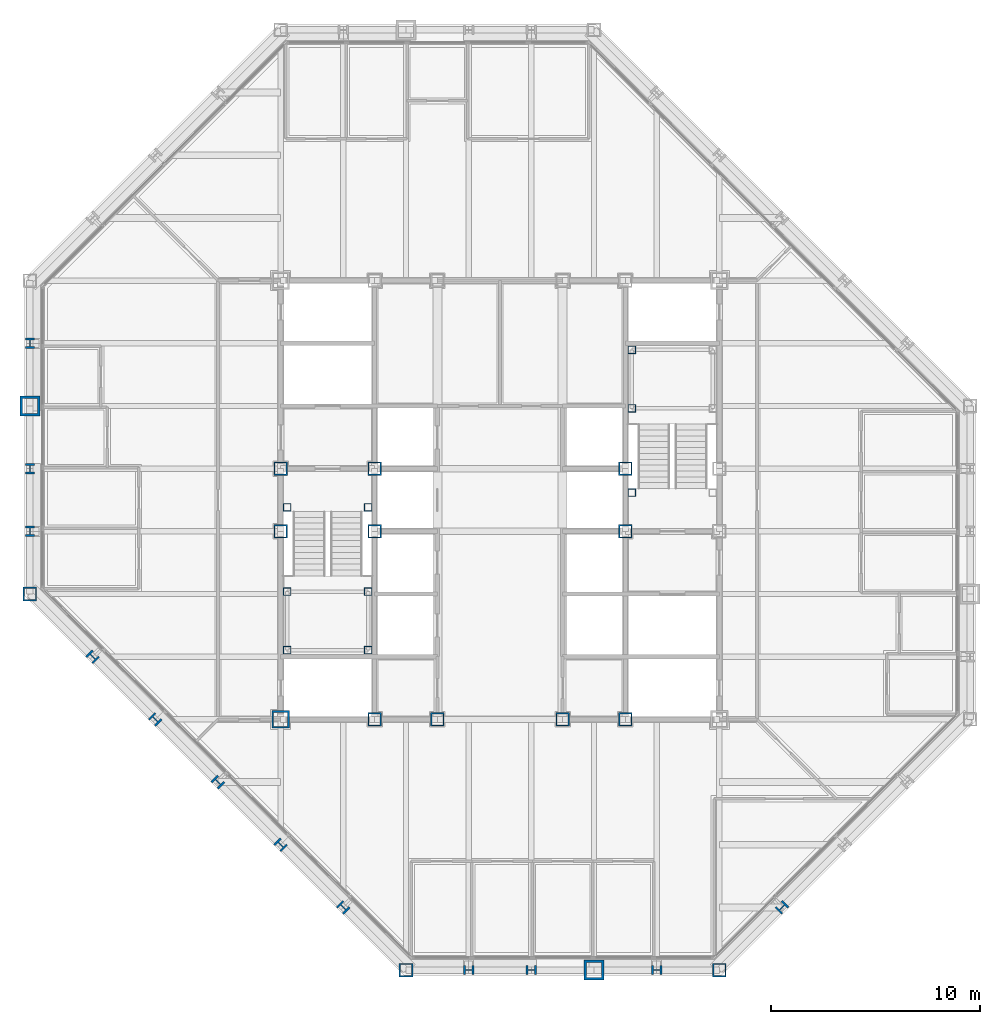
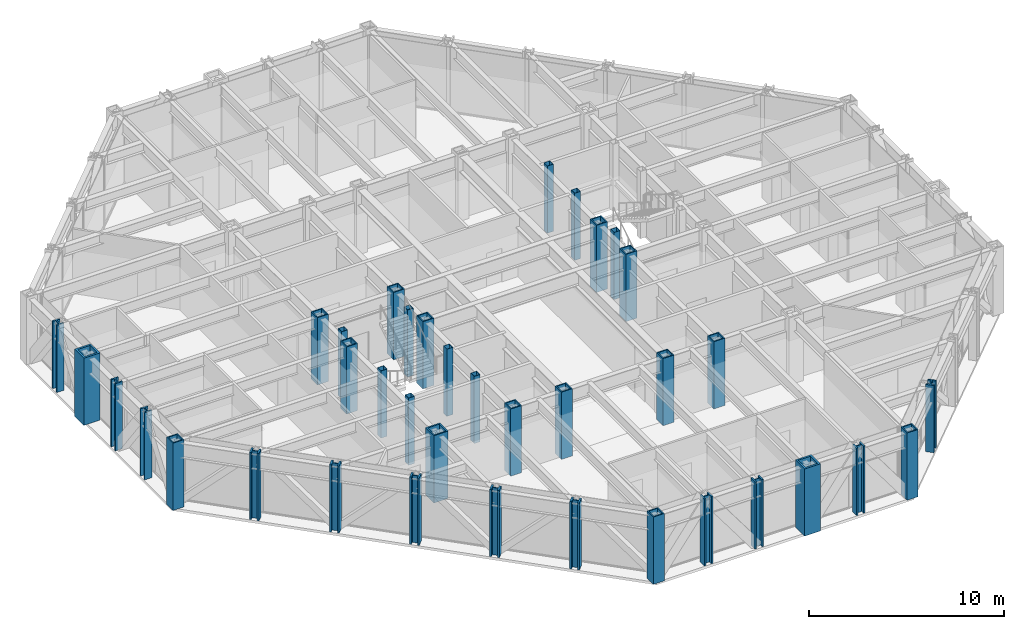
# One storey, part 1 of 15: 37 columns.
"""IFC4 building model written with IfcOpenShell, lengths in metres."""

from ifc_helpers import new_model, si_unit, direction, frame, origin, origin_2d, place, context, subcontext, project, spatial, hollow_rectangle, i_section, extrude, material, material_profile, profile_set, type_object, element, save


model = new_model("IFC4")

# Units and contexts
model_context = context("Model", 3, precision=1e-05, world=origin(), true_north=direction((0.0, 1.0)))
body_context = subcontext(model_context, "Body", "Model", "MODEL_VIEW")
ifc_project = project(units=[si_unit("LENGTHUNIT", "METRE"), si_unit("AREAUNIT", "SQUARE_METRE"), si_unit("VOLUMEUNIT", "CUBIC_METRE"), si_unit("PLANEANGLEUNIT", "RADIAN"), si_unit("MASSUNIT", "GRAM", prefix="KILO")], contexts=[model_context])

# Site, building, storey
site_placement = place(None, origin())
site = spatial("IfcSite", under=ifc_project, at=site_placement, CompositionType="ELEMENT")
building_placement = place(site_placement, origin())
building = spatial("IfcBuilding", under=site, at=building_placement, Name="Chuquiago Exchange Tower", CompositionType="ELEMENT")
storey_placement = place(building_placement, frame((0.0, 0.0, 192.89990234375)))
storey = spatial("IfcBuildingStorey", under=building, at=storey_placement, Name="L42", CompositionType="ELEMENT", Elevation=192.89990234375)

# Columns
ifc_material_1 = material(Name="Steel ASTM A992", Category="steel")
ifc_material_profile_1 = material_profile(ifc_material_1, i_section(OverallWidth=0.431884765625, OverallDepth=0.497802734375, WebThickness=0.0556640625, FlangeThickness=0.0888671875, at=origin_2d()), Name="W14X500")
ifc_profile_set_1 = profile_set([ifc_material_profile_1], Name="Steel ASTM A992")
column_type_1 = type_object("IfcColumnType", Name="C4 W14X500", PredefinedType="COLUMN", material=ifc_profile_set_1)
for number, where, z_axis, x_axis, name in (
    (1, (21.0, 0.0, 0.0), (0.0, 0.0, 1.0), (0.0, -1.0, 0.0), "COL-L42-21_0"),
    (2, (24.0, 0.0, 0.0), (0.0, 0.0, 1.0), (0.0, -1.0, 0.0), "COL-L42-24_0"),
    (3, (30.0, 0.0, 0.0), (0.0, 0.0, 1.0), (0.0, -1.0, 0.0), "COL-L42-30_0"),
    (4, (0.0, 30.0, 0.0), (0.0, 0.0, 1.0), (-1.0, 0.0, 0.0), "COL-L42-0_30"),
    (5, (0.0, 24.0, 0.0), (0.0, 0.0, 1.0), (-1.0, 0.0, 0.0), "COL-L42-0_24"),
    (6, (0.0, 21.0, 0.0), (0.0, 0.0, 1.0), (-1.0, 0.0, 0.0), "COL-L42-0_21"),
):
    element("IfcColumn", number, at=place(storey_placement, frame(where, z_axis=z_axis, x_axis=x_axis)), inside=storey, type_object=column_type_1, Name=name, PredefinedType="COLUMN", context=body_context, shape_type="SweptSolid", body=[
        extrude(i_section(OverallWidth=0.431884765625, OverallDepth=0.497802734375, WebThickness=0.0556640625, FlangeThickness=0.0888671875, at=origin_2d()), origin(), (0.0, 0.0, 1.0), 4.2001953125),
    ])
ifc_material_2 = material(Name="Steel ASTM A572 Grade 50", Category="steel")
ifc_material_profile_2 = material_profile(ifc_material_2, hollow_rectangle(XDim=0.64990234375, YDim=0.64990234375, WallThickness=0.06494140625, at=origin_2d()), Name="BOX650X650X65")
ifc_profile_set_2 = profile_set([ifc_material_profile_2], Name="Steel ASTM A572 Grade 50")
column_type_2 = type_object("IfcColumnType", Name="CC4 BOX650X650X65", PredefinedType="COLUMN", material=ifc_profile_set_2)
for number, where, z_axis, x_axis, name in (
    (7, (16.5, 12.0, 0.0), (0.0, 0.0, 1.0), (1.0, 0.0, 0.0), "CCOL-L42-16.5_12"),
    (8, (19.5, 12.0, 0.0), (0.0, 0.0, 1.0), (1.0, 0.0, 0.0), "CCOL-L42-19.5_12"),
    (9, (25.5, 12.0, 0.0), (0.0, 0.0, 1.0), (1.0, 0.0, 0.0), "CCOL-L42-25.5_12"),
    (10, (28.5, 12.0, 0.0), (0.0, 0.0, 1.0), (1.0, 0.0, 0.0), "CCOL-L42-28.5_12"),
    (11, (12.0, 21.0, 0.0), (0.0, 0.0, 1.0), (1.0, 0.0, 0.0), "CCOL-L42-12_21"),
    (12, (12.0, 24.0, 0.0), (0.0, 0.0, 1.0), (1.0, 0.0, 0.0), "CCOL-L42-12_24"),
    (13, (16.5, 21.0, 0.0), (0.0, 0.0, 1.0), (1.0, 0.0, 0.0), "CCOL-L42-16.5_21"),
    (14, (16.5, 24.0, 0.0), (0.0, 0.0, 1.0), (1.0, 0.0, 0.0), "CCOL-L42-16.5_24"),
    (15, (28.5, 21.0, 0.0), (0.0, 0.0, 1.0), (1.0, 0.0, 0.0), "CCOL-L42-28.5_21"),
    (16, (28.5, 24.0, 0.0), (0.0, 0.0, 1.0), (1.0, 0.0, 0.0), "CCOL-L42-28.5_24"),
):
    element("IfcColumn", number, at=place(storey_placement, frame(where, z_axis=z_axis, x_axis=x_axis)), inside=storey, type_object=column_type_2, Name=name, PredefinedType="COLUMN", context=body_context, shape_type="SweptSolid", body=[
        extrude(hollow_rectangle(XDim=0.64990234375, YDim=0.64990234375, WallThickness=0.06494140625, at=origin_2d()), origin(), (0.0, 0.0, 1.0), 4.2001953125),
    ])
ifc_material_3 = material(Name="Steel ASTM A572 Grade 50", Category="steel")
ifc_material_profile_3 = material_profile(ifc_material_3, hollow_rectangle(XDim=0.85009765625, YDim=0.85009765625, WallThickness=0.0849609375, at=origin_2d()), Name="BOX850X850X85")
ifc_profile_set_3 = profile_set([ifc_material_profile_3], Name="Steel ASTM A572 Grade 50")
column_type_3 = type_object("IfcColumnType", Name="CC6 BOX850X850X85", PredefinedType="COLUMN", material=ifc_profile_set_3)
column_placement = place(storey_placement, frame((12.0, 12.0, 0.0), z_axis=(0.0, 0.0, 1.0), x_axis=(1.0, 0.0, 0.0)))
element("IfcColumn", 17, at=column_placement, inside=storey, type_object=column_type_3, Name="CCOL-L42-12_12", PredefinedType="COLUMN", context=body_context, shape_type="SweptSolid", body=[
    extrude(hollow_rectangle(XDim=0.85009765625, YDim=0.85009765625, WallThickness=0.0849609375, at=origin_2d()), origin(), (0.0, 0.0, 1.0), 4.2001953125),
])
ifc_material_4 = material(Name="Steel ASTM A992", Category="steel")
ifc_material_profile_4 = material_profile(ifc_material_4, i_section(OverallWidth=0.436767578125, OverallDepth=0.51318359375, WebThickness=0.060546875, FlangeThickness=0.096923828125, at=origin_2d()), Name="W14X550")
ifc_profile_set_4 = profile_set([ifc_material_profile_4], Name="Steel ASTM A992")
column_type_4 = type_object("IfcColumnType", Name="CK4 W14X550", PredefinedType="COLUMN", material=ifc_profile_set_4)
for number, where, z_axis, x_axis, name in (
    (18, (36.0, 3.0, 0.0), (0.0, 0.0, 1.0), (0.707106781187, -0.707106781187, 0.0), "COL-L42-36_3"),
    (19, (3.0, 15.0, 0.0), (0.0, 0.0, 1.0), (-0.707106781187, -0.707106781187, 0.0), "COL-L42-3_15"),
    (20, (6.0, 12.0, 0.0), (0.0, 0.0, 1.0), (-0.707106781187, -0.707106781187, 0.0), "COL-L42-6_12"),
    (21, (9.0, 9.0, 0.0), (0.0, 0.0, 1.0), (-0.707106781187, -0.707106781187, 0.0), "COL-L42-9_9"),
    (22, (12.0, 6.0, 0.0), (0.0, 0.0, 1.0), (-0.707106781187, -0.707106781187, 0.0), "COL-L42-12_6"),
    (23, (15.0, 3.0, 0.0), (0.0, 0.0, 1.0), (-0.707106781187, -0.707106781187, 0.0), "COL-L42-15_3"),
):
    element("IfcColumn", number, at=place(storey_placement, frame(where, z_axis=z_axis, x_axis=x_axis)), inside=storey, type_object=column_type_4, Name=name, PredefinedType="COLUMN", context=body_context, shape_type="SweptSolid", body=[
        extrude(i_section(OverallWidth=0.436767578125, OverallDepth=0.51318359375, WebThickness=0.060546875, FlangeThickness=0.096923828125, at=origin_2d()), origin(), (0.0, 0.0, 1.0), 4.2001953125),
    ])
ifc_material_5 = material(Name="Steel ASTM A572 Grade 50", Category="steel")
ifc_material_profile_5 = material_profile(ifc_material_5, hollow_rectangle(XDim=0.64990234375, YDim=0.64990234375, WallThickness=0.06494140625, at=origin_2d()), Name="BOX650X650X65")
ifc_profile_set_5 = profile_set([ifc_material_profile_5], Name="Steel ASTM A572 Grade 50")
column_type_5 = type_object("IfcColumnType", Name="CN2 BOX650X650X65", PredefinedType="COLUMN", material=ifc_profile_set_5)
for number, where, z_axis, x_axis, name in (
    (24, (18.0, 0.0, 0.0), (0.0, 0.0, 1.0), (0.0, -1.0, 0.0), "COL-L42-18_0"),
    (25, (33.0, 0.0, 0.0), (0.0, 0.0, 1.0), (0.0, -1.0, 0.0), "COL-L42-33_0"),
    (26, (0.0, 18.0, 0.0), (0.0, 0.0, 1.0), (-1.0, 0.0, 0.0), "COL-L42-0_18"),
):
    element("IfcColumn", number, at=place(storey_placement, frame(where, z_axis=z_axis, x_axis=x_axis)), inside=storey, type_object=column_type_5, Name=name, PredefinedType="COLUMN", context=body_context, shape_type="SweptSolid", body=[
        extrude(hollow_rectangle(XDim=0.64990234375, YDim=0.64990234375, WallThickness=0.06494140625, at=origin_2d()), origin(), (0.0, 0.0, 1.0), 4.2001953125),
    ])
ifc_material_6 = material(Name="Steel ASTM A572 Grade 42", Category="steel")
ifc_material_profile_6 = material_profile(ifc_material_6, hollow_rectangle(XDim=0.949951171875, YDim=0.949951171875, WallThickness=0.110107421875, at=origin_2d()), Name="BOX950X950X110")
ifc_profile_set_6 = profile_set([ifc_material_profile_6], Name="Steel ASTM A572 Grade 42")
column_type_6 = type_object("IfcColumnType", Name="CT1 BOX950X950X110", PredefinedType="COLUMN", material=ifc_profile_set_6)
for number, where, z_axis, x_axis, name in (
    (27, (27.0, 0.0, 0.0), (0.0, 0.0, 1.0), (0.0, -1.0, 0.0), "COL-L42-27_0"),
    (28, (0.0, 27.0, 0.0), (0.0, 0.0, 1.0), (-1.0, 0.0, 0.0), "COL-L42-0_27"),
):
    element("IfcColumn", number, at=place(storey_placement, frame(where, z_axis=z_axis, x_axis=x_axis)), inside=storey, type_object=column_type_6, Name=name, PredefinedType="COLUMN", context=body_context, shape_type="SweptSolid", body=[
        extrude(hollow_rectangle(XDim=0.949951171875, YDim=0.949951171875, WallThickness=0.110107421875, at=origin_2d()), origin(), (0.0, 0.0, 1.0), 4.2001953125),
    ])
ifc_material_7 = material(Name="Steel ASTM A500 Grade C", Category="steel")
ifc_material_profile_7 = material_profile(ifc_material_7, hollow_rectangle(XDim=0.355712890625, YDim=0.355712890625, WallThickness=0.0146484375, at=origin_2d()), Name="HSS14X14X5/8")
ifc_profile_set_7 = profile_set([ifc_material_profile_7], Name="Steel ASTM A500 Grade C")
column_type_7 = type_object("IfcColumnType", Name="PT2 HSS14X14X5/8", PredefinedType="COLUMN", material=ifc_profile_set_7)
for number, where, z_axis, x_axis, name in (
    (29, (12.31005859375, 15.31005859375, 0.0), (0.0, 0.0, 1.0), (1.0, 0.0, 0.0), "Stair ST1 L42 landing post"),
    (30, (16.18994140625, 15.31005859375, 0.0), (0.0, 0.0, 1.0), (1.0, 0.0, 0.0), "Stair ST1 L42 landing post"),
    (31, (12.31005859375, 18.110107421875, 0.0), (0.0, 0.0, 1.0), (1.0, 0.0, 0.0), "Stair ST1 L42 landing post"),
    (32, (16.18994140625, 18.110107421875, 0.0), (0.0, 0.0, 1.0), (1.0, 0.0, 0.0), "Stair ST1 L42 landing post"),
    (33, (12.31005859375, 22.14990234375, 0.0), (0.0, 0.0, 1.0), (1.0, 0.0, 0.0), "Stair ST1 L42 landing post"),
    (34, (16.18994140625, 22.14990234375, 0.0), (0.0, 0.0, 1.0), (1.0, 0.0, 0.0), "Stair ST1 L42 landing post"),
    (35, (28.81005859375, 29.68994140625, 0.0), (0.0, 0.0, 1.0), (1.0, 0.0, 0.0), "Stair ST2 L42 landing post"),
    (36, (28.81005859375, 26.889892578125, 0.0), (0.0, 0.0, 1.0), (1.0, 0.0, 0.0), "Stair ST2 L42 landing post"),
    (37, (28.81005859375, 22.85009765625, 0.0), (0.0, 0.0, 1.0), (1.0, 0.0, 0.0), "Stair ST2 L42 landing post"),
):
    element("IfcColumn", number, at=place(storey_placement, frame(where, z_axis=z_axis, x_axis=x_axis)), inside=storey, type_object=column_type_7, Name=name, PredefinedType="COLUMN", context=body_context, shape_type="SweptSolid", body=[
        extrude(hollow_rectangle(XDim=0.355712890625, YDim=0.355712890625, WallThickness=0.0146484375, at=origin_2d()), origin(), (0.0, 0.0, 1.0), 4.2001953125),
    ])

save(model, "model.ifc")
